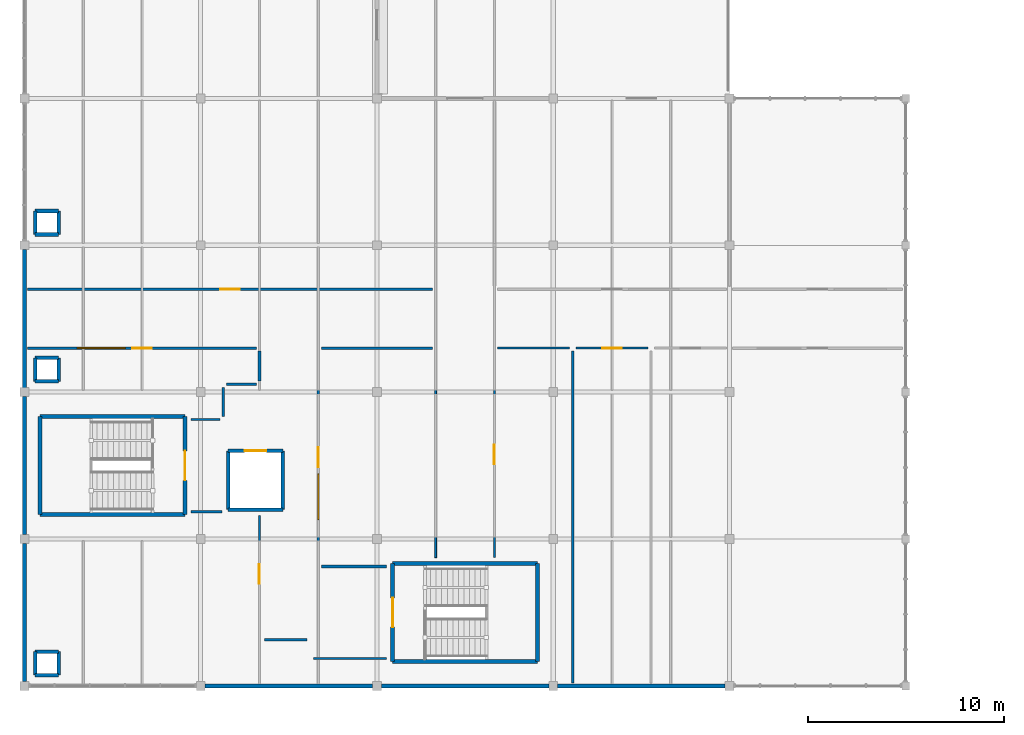
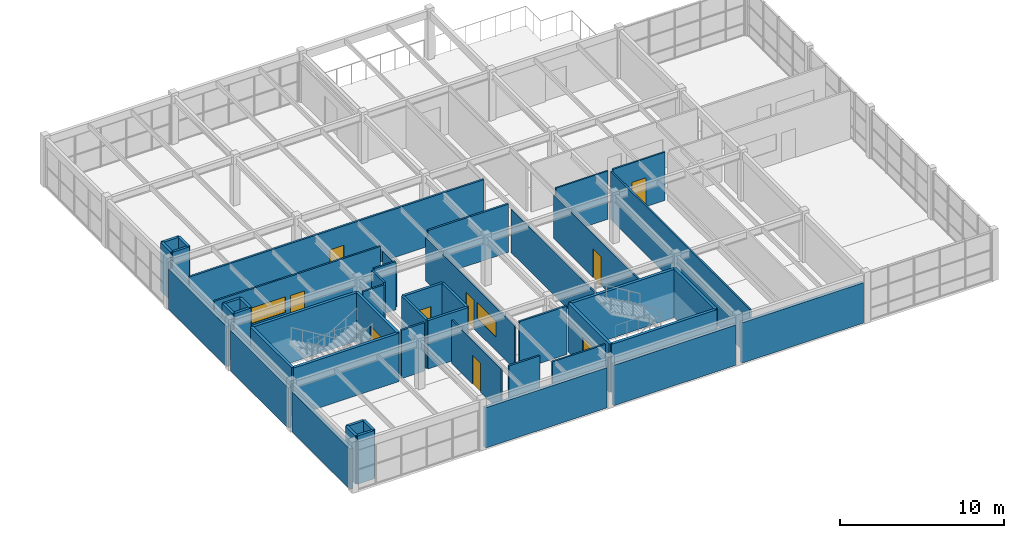
# One storey, part 36 of 45: 48 walls, 9 doors, 2 windows, 11 openings.
"""IFC4 building model written with IfcOpenShell, lengths in metres."""

from ifc_helpers import new_model, si_unit, direction, frame, frame_2d, origin, place, context, subcontext, project, spatial, rectangle, extrude, material, layer, layer_set, type_object, element, fill, save


model = new_model("IFC4")

# Units and contexts
model_context = context("Model", 3, precision=1e-05, world=origin(), true_north=direction((0.0, 1.0)))
body_context = subcontext(model_context, "Body", "Model", "MODEL_VIEW")
ifc_project = project(units=[si_unit("LENGTHUNIT", "METRE"), si_unit("AREAUNIT", "SQUARE_METRE"), si_unit("VOLUMEUNIT", "CUBIC_METRE"), si_unit("PLANEANGLEUNIT", "RADIAN"), si_unit("MASSUNIT", "GRAM", prefix="KILO")], contexts=[model_context])

# Site, building, storey
site_placement = place(None, origin())
site = spatial("IfcSite", under=ifc_project, at=site_placement, CompositionType="ELEMENT")
building_placement = place(site_placement, origin())
building = spatial("IfcBuilding", under=site, at=building_placement, Name="Marnridge Secondary College", CompositionType="ELEMENT")
storey_placement = place(building_placement, frame((0.0, 0.0, 12.300048828125)))
storey = spatial("IfcBuildingStorey", under=building, at=storey_placement, Name="L03", CompositionType="ELEMENT", Elevation=12.300048828125)

# Wall
ifc_material_1 = material(Name="Concrete C40/50 (AS 3600 N40, 40 MPa)", Category="concrete")
ifc_layer_1 = layer(ifc_material_1, 0.199951171875)
ifc_layer_set_1 = layer_set([ifc_layer_1], Name="WT-CORE-RC200")
wall_type_1 = type_object("IfcWallType", Name="WT-CORE-RC200", PredefinedType="SHEAR", material=ifc_layer_set_1)
wall_1_placement = place(storey_placement, frame((0.800048828125, 8.75, 0.0), z_axis=(0.0, 0.0, 1.0), x_axis=(1.0, 0.0, 0.0)))
element("IfcWall", 1, at=wall_1_placement, inside=storey, type_object=wall_type_1, Name="Stair core shear wall WC-L03-0309", PredefinedType="SHEAR", context=body_context, shape_type="SweptSolid", body=[
    extrude(rectangle(XDim=7.39990234375, YDim=0.199951171875, at=frame_2d((3.699951171875, 0.0))), origin(), (0.0, 0.0, 1.0), 3.58984375),
])

# Wall, opening, door
wall_2_placement = place(storey_placement, frame((8.199951171875, 8.75, 0.0), z_axis=(0.0, 0.0, 1.0), x_axis=(0.0, 1.0, 0.0)))
wall_2 = element("IfcWall", 2, at=wall_2_placement, inside=storey, type_object=wall_type_1, Name="Stair core shear wall WC-L03-0310", PredefinedType="SHEAR", context=body_context, shape_type="SweptSolid", body=[
    extrude(rectangle(XDim=5.0, YDim=0.199951171875, at=frame_2d((2.5, 0.0))), origin(), (0.0, 0.0, 1.0), 3.58984375),
])
opening_1_placement = place(wall_2_placement, frame((1.75, 0.0, 0.0)))
opening_1 = element("IfcOpeningElement", 3, at=opening_1_placement, cuts=wall_2, Name="Opening DC-L03-016", PredefinedType="OPENING", context=body_context, shape_type="SweptSolid", body=[
    extrude(rectangle(XDim=1.5, YDim=2.14990234375, at=frame_2d((0.75, 1.074951171875))), frame((0.0, 0.10986328125, 0.0), z_axis=(0.0, -1.0, 0.0), x_axis=(1.0, 0.0, 0.0)), (0.0, 0.0, 1.0), 0.219970703125),
])
ifc_material_2 = material(Name="Fire-rated solid-core timber doorset", Category="wood")
door_type_1 = type_object("IfcDoorType", Name="DT-CORE-FD150", OperationType="DOUBLE_DOOR_SINGLE_SWING", PredefinedType="DOOR", material=ifc_material_2)
door_1_placement = place(opening_1_placement, origin())
door_1 = element("IfcDoor", 4, at=door_1_placement, inside=storey, type_object=door_type_1, Name="Fire stair door DC-L03-016", OperationType="DOUBLE_DOOR_SINGLE_SWING", OverallHeight=2.14990234375, OverallWidth=1.5, PredefinedType="DOOR", context=body_context, shape_type="SweptSolid", body=[
    extrude(rectangle(XDim=1.5, YDim=2.14990234375, at=frame_2d((0.75, 1.074951171875))), frame((0.0, 0.02490234375, 0.0), z_axis=(0.0, -1.0, 0.0), x_axis=(1.0, 0.0, 0.0)), (0.0, 0.0, 1.0), 0.050048828125),
])
fill(opening_1, door_1)

# Walls
wall_3_placement = place(storey_placement, frame((8.199951171875, 13.75, 0.0), z_axis=(0.0, 0.0, 1.0), x_axis=(-1.0, 0.0, 0.0)))
element("IfcWall", 5, at=wall_3_placement, inside=storey, type_object=wall_type_1, Name="Stair core shear wall WC-L03-0311", PredefinedType="SHEAR", context=body_context, shape_type="SweptSolid", body=[
    extrude(rectangle(XDim=7.39990234375, YDim=0.199951171875, at=frame_2d((3.699951171875, 0.0))), origin(), (0.0, 0.0, 1.0), 3.58984375),
])
wall_4_placement = place(storey_placement, frame((0.800048828125, 13.75, 0.0), z_axis=(0.0, 0.0, 1.0), x_axis=(0.0, -1.0, 0.0)))
element("IfcWall", 6, at=wall_4_placement, inside=storey, type_object=wall_type_1, Name="Stair core shear wall WC-L03-0312", PredefinedType="SHEAR", context=body_context, shape_type="SweptSolid", body=[
    extrude(rectangle(XDim=5.0, YDim=0.199951171875, at=frame_2d((2.5, 0.0))), origin(), (0.0, 0.0, 1.0), 3.58984375),
])
wall_5_placement = place(storey_placement, frame((18.800048828125, 1.25, 0.0), z_axis=(0.0, 0.0, 1.0), x_axis=(1.0, 0.0, 0.0)))
element("IfcWall", 7, at=wall_5_placement, inside=storey, type_object=wall_type_1, Name="Stair core shear wall WC-L03-0329", PredefinedType="SHEAR", context=body_context, shape_type="SweptSolid", body=[
    extrude(rectangle(XDim=7.39990234375, YDim=0.199951171875, at=frame_2d((3.699951171875, 0.0))), origin(), (0.0, 0.0, 1.0), 3.58984375),
])
wall_6_placement = place(storey_placement, frame((26.199951171875, 1.25, 0.0), z_axis=(0.0, 0.0, 1.0), x_axis=(0.0, 1.0, 0.0)))
element("IfcWall", 8, at=wall_6_placement, inside=storey, type_object=wall_type_1, Name="Stair core shear wall WC-L03-0330", PredefinedType="SHEAR", context=body_context, shape_type="SweptSolid", body=[
    extrude(rectangle(XDim=5.0, YDim=0.199951171875, at=frame_2d((2.5, 0.0))), origin(), (0.0, 0.0, 1.0), 3.58984375),
])
wall_7_placement = place(storey_placement, frame((26.199951171875, 6.25, 0.0), z_axis=(0.0, 0.0, 1.0), x_axis=(-1.0, 0.0, 0.0)))
element("IfcWall", 9, at=wall_7_placement, inside=storey, type_object=wall_type_1, Name="Stair core shear wall WC-L03-0331", PredefinedType="SHEAR", context=body_context, shape_type="SweptSolid", body=[
    extrude(rectangle(XDim=7.39990234375, YDim=0.199951171875, at=frame_2d((3.699951171875, 0.0))), origin(), (0.0, 0.0, 1.0), 3.58984375),
])

# Wall, opening, door
wall_8_placement = place(storey_placement, frame((18.800048828125, 6.25, 0.0), z_axis=(0.0, 0.0, 1.0), x_axis=(0.0, -1.0, 0.0)))
wall_8 = element("IfcWall", 10, at=wall_8_placement, inside=storey, type_object=wall_type_1, Name="Stair core shear wall WC-L03-0332", PredefinedType="SHEAR", context=body_context, shape_type="SweptSolid", body=[
    extrude(rectangle(XDim=5.0, YDim=0.199951171875, at=frame_2d((2.5, 0.0))), origin(), (0.0, 0.0, 1.0), 3.58984375),
])
opening_2_placement = place(wall_8_placement, frame((1.75, 0.0, 0.0)))
opening_2 = element("IfcOpeningElement", 11, at=opening_2_placement, cuts=wall_8, Name="Opening DC-L03-021", PredefinedType="OPENING", context=body_context, shape_type="SweptSolid", body=[
    extrude(rectangle(XDim=1.5, YDim=2.14990234375, at=frame_2d((0.75, 1.074951171875))), frame((0.0, 0.10986328125, 0.0), z_axis=(0.0, -1.0, 0.0), x_axis=(1.0, 0.0, 0.0)), (0.0, 0.0, 1.0), 0.219970703125),
])
door_2_placement = place(opening_2_placement, origin())
door_2 = element("IfcDoor", 12, at=door_2_placement, inside=storey, type_object=door_type_1, Name="Fire stair door DC-L03-021", OperationType="DOUBLE_DOOR_SINGLE_SWING", OverallHeight=2.14990234375, OverallWidth=1.5, PredefinedType="DOOR", context=body_context, shape_type="SweptSolid", body=[
    extrude(rectangle(XDim=1.5, YDim=2.14990234375, at=frame_2d((0.75, 1.074951171875))), frame((0.0, 0.02490234375, 0.0), z_axis=(0.0, -1.0, 0.0), x_axis=(1.0, 0.0, 0.0)), (0.0, 0.0, 1.0), 0.050048828125),
])
fill(opening_2, door_2)

# Walls
ifc_material_3 = material(Name="Cross-laminated timber CL5", Category="wood")
ifc_layer_2 = layer(ifc_material_3, 0.215087890625)
ifc_layer_set_2 = layer_set([ifc_layer_2], Name="WT-EXT-CLT215")
wall_type_2 = type_object("IfcWallType", Name="WT-EXT-CLT215", PredefinedType="SOLIDWALL", material=ifc_layer_set_2)
for number, where, z_axis, x_axis, name in (
    (13, (35.779052734375, 0.0, 0.0), (0.0, 0.0, 1.0), (-1.0, 0.0, 0.0), "Exterior wall WE-L03-0188"),
    (14, (26.779052734375, 0.0, 0.0), (0.0, 0.0, 1.0), (-1.0, 0.0, 0.0), "Exterior wall WE-L03-0189"),
    (15, (17.779052734375, 0.0, 0.0), (0.0, 0.0, 1.0), (-1.0, 0.0, 0.0), "Exterior wall WE-L03-0190"),
):
    element("IfcWall", number, at=place(storey_placement, frame(where, z_axis=z_axis, x_axis=x_axis)), inside=storey, type_object=wall_type_2, Name=name, PredefinedType="SOLIDWALL", context=body_context, shape_type="SweptSolid", body=[
        extrude(rectangle(XDim=8.55810546875, YDim=0.215087890625, at=frame_2d((4.279052734375, 0.0))), origin(), (0.0, 0.0, 1.0), 2.9970703125),
    ])
for number, where, z_axis, x_axis, name in (
    (16, (0.0, 0.220947265625, 0.0), (0.0, 0.0, 1.0), (0.0, 1.0, 0.0), "Exterior wall WE-L03-0191"),
    (17, (0.0, 7.720947265625, 0.0), (0.0, 0.0, 1.0), (0.0, 1.0, 0.0), "Exterior wall WE-L03-0192"),
    (18, (0.0, 15.220947265625, 0.0), (0.0, 0.0, 1.0), (0.0, 1.0, 0.0), "Exterior wall WE-L03-0193"),
):
    element("IfcWall", number, at=place(storey_placement, frame(where, z_axis=z_axis, x_axis=x_axis)), inside=storey, type_object=wall_type_2, Name=name, PredefinedType="SOLIDWALL", context=body_context, shape_type="SweptSolid", body=[
        extrude(rectangle(XDim=7.05810546875, YDim=0.215087890625, at=frame_2d((3.529052734375, 0.0))), origin(), (0.0, 0.0, 1.0), 2.9970703125),
    ])
ifc_material_4 = material(Name="Acoustic plasterboard partition Rw45", Category="gypsum")
ifc_layer_3 = layer(ifc_material_4, 0.1201171875)
ifc_layer_set_3 = layer_set([ifc_layer_3], Name="WT-PART-AC120")
wall_type_3 = type_object("IfcWallType", Name="WT-PART-AC120", PredefinedType="PARTITIONING", material=ifc_layer_set_3)
wall_9_placement = place(storey_placement, frame((18.5, 1.39990234375, 0.0), z_axis=(0.0, 0.0, 1.0), x_axis=(-1.0, 0.0, 0.0)))
element("IfcWall", 19, at=wall_9_placement, inside=storey, type_object=wall_type_3, Name="Interior partition WP-L03-0381", PredefinedType="PARTITIONING", context=body_context, shape_type="SweptSolid", body=[
    extrude(rectangle(XDim=3.739990234375, YDim=0.1201171875, at=frame_2d((1.8701171875, 0.0))), origin(), (0.0, 0.0, 1.0), 3.58984375),
])

# Wall, opening, door
wall_10_placement = place(storey_placement, frame((12.0, 2.7099609375, 0.0), z_axis=(0.0, 0.0, 1.0), x_axis=(0.0, 1.0, 0.0)))
wall_10 = element("IfcWall", 20, at=wall_10_placement, inside=storey, type_object=wall_type_3, Name="Interior partition WP-L03-0383", PredefinedType="PARTITIONING", context=body_context, shape_type="SweptSolid", body=[
    extrude(rectangle(XDim=5.989990234375, YDim=0.1201171875, at=frame_2d((2.9951171875, 0.0))), origin(), (0.0, 0.0, 1.0), 3.221923828125),
])
opening_3_placement = place(wall_10_placement, frame((2.4951171875, 0.0, 0.0)))
opening_3 = element("IfcOpeningElement", 21, at=opening_3_placement, cuts=wall_10, Name="Opening DI-L03-0138", PredefinedType="OPENING", context=body_context, shape_type="SweptSolid", body=[
    extrude(rectangle(XDim=1.0, YDim=2.14990234375, at=frame_2d((0.5, 1.074951171875))), frame((0.0, 0.070068359375, 0.0), z_axis=(0.0, -1.0, 0.0), x_axis=(1.0, 0.0, 0.0)), (0.0, 0.0, 1.0), 0.14013671875),
])
ifc_material_5 = material(Name="Solid-core acoustic hoop-pine classroom doorset", Category="wood")
door_type_2 = type_object("IfcDoorType", Name="DT-CLS-100", OperationType="NOTDEFINED", PredefinedType="DOOR", material=ifc_material_5)
door_3_placement = place(opening_3_placement, origin())
door_3 = element("IfcDoor", 22, at=door_3_placement, inside=storey, type_object=door_type_2, Name="Interior door DI-L03-0138", OperationType="SINGLE_SWING_RIGHT", OverallHeight=2.14990234375, OverallWidth=1.0, PredefinedType="DOOR", context=body_context, shape_type="SweptSolid", body=[
    extrude(rectangle(XDim=1.0, YDim=2.14990234375, at=frame_2d((0.5, 1.074951171875))), frame((0.0, 0.02490234375, 0.0), z_axis=(0.0, -1.0, 0.0), x_axis=(1.0, 0.0, 0.0)), (0.0, 0.0, 1.0), 0.050048828125),
])
fill(opening_3, door_3)

# Wall, openings, door, window
wall_11_placement = place(storey_placement, frame((15.0, 17.090087890625, 0.0), z_axis=(0.0, 0.0, 1.0), x_axis=(0.0, -1.0, 0.0)))
wall_11 = element("IfcWall", 23, at=wall_11_placement, inside=storey, type_object=wall_type_3, Name="Interior partition WP-L03-0387", PredefinedType="PARTITIONING", context=body_context, shape_type="SweptSolid", body=[
    extrude(rectangle(XDim=10.830078125, YDim=0.1201171875, at=frame_2d((5.4150390625, 0.0))), origin(), (0.0, 0.0, 1.0), 3.221923828125),
])
opening_4_placement = place(wall_11_placement, frame((4.9150390625, 0.0, 0.0)))
opening_4 = element("IfcOpeningElement", 24, at=opening_4_placement, cuts=wall_11, Name="Opening DI-L03-0140", PredefinedType="OPENING", context=body_context, shape_type="SweptSolid", body=[
    extrude(rectangle(XDim=1.0, YDim=2.14990234375, at=frame_2d((0.5, 1.074951171875))), frame((0.0, 0.070068359375, 0.0), z_axis=(0.0, -1.0, 0.0), x_axis=(1.0, 0.0, 0.0)), (0.0, 0.0, 1.0), 0.14013671875),
])
opening_5_placement = place(wall_11_placement, frame((6.264892578125, 0.0, 1.02001953125)))
opening_5 = element("IfcOpeningElement", 25, at=opening_5_placement, cuts=wall_11, Name="Opening WNI-L03-033", PredefinedType="OPENING", context=body_context, shape_type="SweptSolid", body=[
    extrude(rectangle(XDim=2.340087890625, YDim=1.179931640625, at=frame_2d((1.169921875, 0.58984375))), frame((0.0, 0.070068359375, 0.0), z_axis=(0.0, -1.0, 0.0), x_axis=(1.0, 0.0, 0.0)), (0.0, 0.0, 1.0), 0.14013671875),
])
door_4_placement = place(opening_4_placement, origin())
door_4 = element("IfcDoor", 26, at=door_4_placement, inside=storey, type_object=door_type_2, Name="Interior door DI-L03-0140", OperationType="SINGLE_SWING_RIGHT", OverallHeight=2.14990234375, OverallWidth=1.0, PredefinedType="DOOR", context=body_context, shape_type="SweptSolid", body=[
    extrude(rectangle(XDim=1.0, YDim=2.14990234375, at=frame_2d((0.5, 1.074951171875))), frame((0.0, 0.02490234375, 0.0), z_axis=(0.0, -1.0, 0.0), x_axis=(1.0, 0.0, 0.0)), (0.0, 0.0, 1.0), 0.050048828125),
])
fill(opening_4, door_4)
ifc_material_6 = material(Name="Acoustic laminated interior vision glazing", Category="glass")
window_type_1 = type_object("IfcWindowType", Name="WN-BL-VAR15", PartitioningType="DOUBLE_PANEL_VERTICAL", PredefinedType="WINDOW", material=ifc_material_6)
window_1_placement = place(opening_5_placement, origin())
window_1 = element("IfcWindow", 27, at=window_1_placement, inside=storey, type_object=window_type_1, Name="Interior vision window WNI-L03-033", OverallHeight=1.179931640625, OverallWidth=2.340087890625, PartitioningType="DOUBLE_PANEL_VERTICAL", PredefinedType="WINDOW", context=body_context, shape_type="SweptSolid", body=[
    extrude(rectangle(XDim=2.340087890625, YDim=1.179931640625, at=frame_2d((1.169921875, 0.58984375))), frame((0.0, 0.030029296875, 0.0), z_axis=(0.0, -1.0, 0.0), x_axis=(1.0, 0.0, 0.0)), (0.0, 0.0, 1.0), 0.06005859375),
])
fill(opening_5, window_1)

# Walls
wall_12_placement = place(storey_placement, frame((8.5, 13.60009765625, 0.0), z_axis=(0.0, 0.0, 1.0), x_axis=(1.0, 0.0, 0.0)))
element("IfcWall", 28, at=wall_12_placement, inside=storey, type_object=wall_type_3, Name="Interior partition WP-L03-0389", PredefinedType="PARTITIONING", context=body_context, shape_type="SweptSolid", body=[
    extrude(rectangle(XDim=1.489990234375, YDim=0.1201171875, at=frame_2d((0.7451171875, 0.0))), origin(), (0.0, 0.0, 1.0), 3.58984375),
])
wall_13_placement = place(storey_placement, frame((10.31005859375, 15.39990234375, 0.0), z_axis=(0.0, 0.0, 1.0), x_axis=(1.0, 0.0, 0.0)))
element("IfcWall", 29, at=wall_13_placement, inside=storey, type_object=wall_type_3, Name="Interior partition WP-L03-0391", PredefinedType="PARTITIONING", context=body_context, shape_type="SweptSolid", body=[
    extrude(rectangle(XDim=1.530029296875, YDim=0.1201171875, at=frame_2d((0.76513671875, 0.0))), origin(), (0.0, 0.0, 1.0), 3.58984375),
])

# Wall, openings, door, window
wall_14_placement = place(storey_placement, frame((11.840087890625, 17.25, 0.0), z_axis=(0.0, 0.0, 1.0), x_axis=(-1.0, 0.0, 0.0)))
wall_14 = element("IfcWall", 30, at=wall_14_placement, inside=storey, type_object=wall_type_3, Name="Interior partition WP-L03-0393", PredefinedType="PARTITIONING", context=body_context, shape_type="SweptSolid", body=[
    extrude(rectangle(XDim=11.68017578125, YDim=0.1201171875, at=frame_2d((5.840087890625, 0.0))), origin(), (0.0, 0.0, 1.0), 3.58984375),
])
opening_6_placement = place(wall_14_placement, frame((5.340087890625, 0.0, 0.0)))
opening_6 = element("IfcOpeningElement", 31, at=opening_6_placement, cuts=wall_14, Name="Opening DI-L03-0141", PredefinedType="OPENING", context=body_context, shape_type="SweptSolid", body=[
    extrude(rectangle(XDim=1.0, YDim=2.14990234375, at=frame_2d((0.5, 1.074951171875))), frame((0.0, 0.070068359375, 0.0), z_axis=(0.0, -1.0, 0.0), x_axis=(1.0, 0.0, 0.0)), (0.0, 0.0, 1.0), 0.14013671875),
])
opening_7_placement = place(wall_14_placement, frame((6.68994140625, 0.0, 1.02001953125)))
opening_7 = element("IfcOpeningElement", 32, at=opening_7_placement, cuts=wall_14, Name="Opening WNI-L03-034", PredefinedType="OPENING", context=body_context, shape_type="SweptSolid", body=[
    extrude(rectangle(XDim=2.4599609375, YDim=1.159912109375, at=frame_2d((1.22998046875, 0.580078125))), frame((0.0, 0.070068359375, 0.0), z_axis=(0.0, -1.0, 0.0), x_axis=(1.0, 0.0, 0.0)), (0.0, 0.0, 1.0), 0.14013671875),
])
door_5_placement = place(opening_6_placement, origin())
door_5 = element("IfcDoor", 33, at=door_5_placement, inside=storey, type_object=door_type_2, Name="Interior door DI-L03-0141", OperationType="SINGLE_SWING_LEFT", OverallHeight=2.14990234375, OverallWidth=1.0, PredefinedType="DOOR", context=body_context, shape_type="SweptSolid", body=[
    extrude(rectangle(XDim=1.0, YDim=2.14990234375, at=frame_2d((0.5, 1.074951171875))), frame((0.0, 0.02490234375, 0.0), z_axis=(0.0, -1.0, 0.0), x_axis=(1.0, 0.0, 0.0)), (0.0, 0.0, 1.0), 0.050048828125),
])
fill(opening_6, door_5)
ifc_material_7 = material(Name="Acoustic laminated interior vision glazing", Category="glass")
window_type_2 = type_object("IfcWindowType", Name="WN-BL-VAR16", PartitioningType="DOUBLE_PANEL_VERTICAL", PredefinedType="WINDOW", material=ifc_material_7)
window_2_placement = place(opening_7_placement, origin())
window_2 = element("IfcWindow", 34, at=window_2_placement, inside=storey, type_object=window_type_2, Name="Interior vision window WNI-L03-034", OverallHeight=1.159912109375, OverallWidth=2.4599609375, PartitioningType="DOUBLE_PANEL_VERTICAL", PredefinedType="WINDOW", context=body_context, shape_type="SweptSolid", body=[
    extrude(rectangle(XDim=2.4599609375, YDim=1.159912109375, at=frame_2d((1.22998046875, 0.580078125))), frame((0.0, 0.030029296875, 0.0), z_axis=(0.0, -1.0, 0.0), x_axis=(1.0, 0.0, 0.0)), (0.0, 0.0, 1.0), 0.06005859375),
])
fill(opening_7, window_2)

# Walls
ifc_material_8 = material(Name="Acoustic plasterboard partition Rw48", Category="gypsum")
ifc_layer_4 = layer(ifc_material_8, 0.135009765625)
ifc_layer_set_4 = layer_set([ifc_layer_4], Name="WT-PART-AC135")
wall_type_4 = type_object("IfcWallType", Name="WT-PART-AC135", PredefinedType="PARTITIONING", material=ifc_layer_set_4)
wall_15_placement = place(storey_placement, frame((10.10009765625, 8.89990234375, 0.0), z_axis=(0.0, 0.0, 1.0), x_axis=(-1.0, 0.0, 0.0)))
element("IfcWall", 35, at=wall_15_placement, inside=storey, type_object=wall_type_4, Name="Interior partition WP-L03-0380", PredefinedType="PARTITIONING", context=body_context, shape_type="SweptSolid", body=[
    extrude(rectangle(XDim=1.60009765625, YDim=0.135009765625, at=frame_2d((0.800048828125, 0.0))), origin(), (0.0, 0.0, 1.0), 3.58984375),
])
wall_16_placement = place(storey_placement, frame((14.43994140625, 2.35009765625, 0.0), z_axis=(0.0, 0.0, 1.0), x_axis=(-1.0, 0.0, 0.0)))
element("IfcWall", 36, at=wall_16_placement, inside=storey, type_object=wall_type_4, Name="Interior partition WP-L03-0382", PredefinedType="PARTITIONING", context=body_context, shape_type="SweptSolid", body=[
    extrude(rectangle(XDim=2.179931640625, YDim=0.135009765625, at=frame_2d((1.08984375, 0.0))), origin(), (0.0, 0.0, 1.0), 3.58984375),
])
wall_17_placement = place(storey_placement, frame((20.840087890625, 17.25, 0.0), z_axis=(0.0, 0.0, 1.0), x_axis=(-1.0, 0.0, 0.0)))
element("IfcWall", 37, at=wall_17_placement, inside=storey, type_object=wall_type_4, Name="Interior partition WP-L03-0386", PredefinedType="PARTITIONING", context=body_context, shape_type="SweptSolid", body=[
    extrude(rectangle(XDim=5.68017578125, YDim=0.135009765625, at=frame_2d((2.840087890625, 0.0))), origin(), (0.0, 0.0, 1.0), 3.58984375),
])
wall_18_placement = place(storey_placement, frame((15.159912109375, 6.10009765625, 0.0), z_axis=(0.0, 0.0, 1.0), x_axis=(1.0, 0.0, 0.0)))
element("IfcWall", 38, at=wall_18_placement, inside=storey, type_object=wall_type_4, Name="Interior partition WP-L03-0388", PredefinedType="PARTITIONING", context=body_context, shape_type="SweptSolid", body=[
    extrude(rectangle(XDim=3.340087890625, YDim=0.135009765625, at=frame_2d((1.669921875, 0.0))), origin(), (0.0, 0.0, 1.0), 3.58984375),
])
wall_19_placement = place(storey_placement, frame((10.14990234375, 13.760009765625, 0.0), z_axis=(0.0, 0.0, 1.0), x_axis=(0.0, 1.0, 0.0)))
element("IfcWall", 39, at=wall_19_placement, inside=storey, type_object=wall_type_4, Name="Interior partition WP-L03-0390", PredefinedType="PARTITIONING", context=body_context, shape_type="SweptSolid", body=[
    extrude(rectangle(XDim=1.47998046875, YDim=0.135009765625, at=frame_2d((0.739990234375, 0.0))), origin(), (0.0, 0.0, 1.0), 3.58984375),
])
wall_20_placement = place(storey_placement, frame((12.0, 15.56005859375, 0.0), z_axis=(0.0, 0.0, 1.0), x_axis=(0.0, 1.0, 0.0)))
element("IfcWall", 40, at=wall_20_placement, inside=storey, type_object=wall_type_4, Name="Interior partition WP-L03-0392", PredefinedType="PARTITIONING", context=body_context, shape_type="SweptSolid", body=[
    extrude(rectangle(XDim=1.530029296875, YDim=0.135009765625, at=frame_2d((0.76513671875, 0.0))), origin(), (0.0, 0.0, 1.0), 3.221923828125),
])

# Wall, opening, door
wall_21_placement = place(storey_placement, frame((0.159912109375, 20.25, 0.0), z_axis=(0.0, 0.0, 1.0), x_axis=(1.0, 0.0, 0.0)))
wall_21 = element("IfcWall", 41, at=wall_21_placement, inside=storey, type_object=wall_type_4, Name="Interior partition WP-L03-0394", PredefinedType="PARTITIONING", context=body_context, shape_type="SweptSolid", body=[
    extrude(rectangle(XDim=20.68017578125, YDim=0.135009765625, at=frame_2d((10.340087890625, 0.0))), origin(), (0.0, 0.0, 1.0), 3.58984375),
])
opening_8_placement = place(wall_21_placement, frame((9.840087890625, 0.0, 0.0)))
opening_8 = element("IfcOpeningElement", 42, at=opening_8_placement, cuts=wall_21, Name="Opening DI-L03-0142", PredefinedType="OPENING", context=body_context, shape_type="SweptSolid", body=[
    extrude(rectangle(XDim=1.0, YDim=2.14990234375, at=frame_2d((0.5, 1.074951171875))), frame((0.0, 0.077392578125, 0.0), z_axis=(0.0, -1.0, 0.0), x_axis=(1.0, 0.0, 0.0)), (0.0, 0.0, 1.0), 0.155029296875),
])
door_6_placement = place(opening_8_placement, origin())
door_6 = element("IfcDoor", 43, at=door_6_placement, inside=storey, type_object=door_type_2, Name="Interior door DI-L03-0142", OperationType="SINGLE_SWING_RIGHT", OverallHeight=2.14990234375, OverallWidth=1.0, PredefinedType="DOOR", context=body_context, shape_type="SweptSolid", body=[
    extrude(rectangle(XDim=1.0, YDim=2.14990234375, at=frame_2d((0.5, 1.074951171875))), frame((0.0, 0.02490234375, 0.0), z_axis=(0.0, -1.0, 0.0), x_axis=(1.0, 0.0, 0.0)), (0.0, 0.0, 1.0), 0.050048828125),
])
fill(opening_8, door_6)

# Walls
ifc_material_9 = material(Name="Acoustic glazed studio partition system", Category="gypsum")
ifc_layer_5 = layer(ifc_material_9, 0.10009765625)
ifc_layer_set_5 = layer_set([ifc_layer_5], Name="WT-PART-GL100")
wall_type_5 = type_object("IfcWallType", Name="WT-PART-GL100", PredefinedType="PARTITIONING", material=ifc_layer_set_5)
wall_22_placement = place(storey_placement, frame((21.0, 6.550048828125, 0.0), z_axis=(0.0, 0.0, 1.0), x_axis=(0.0, 1.0, 0.0)))
element("IfcWall", 44, at=wall_22_placement, inside=storey, type_object=wall_type_5, Name="Interior partition WP-L03-0385", PredefinedType="PARTITIONING", context=body_context, shape_type="SweptSolid", body=[
    extrude(rectangle(XDim=10.5400390625, YDim=0.10009765625, at=frame_2d((5.27001953125, 0.0))), origin(), (0.0, 0.0, 1.0), 3.221923828125),
])
ifc_material_10 = material(Name="Moisture-resistant plasterboard sanitary partition", Category="gypsum")
ifc_layer_6 = layer(ifc_material_10, 0.110107421875)
ifc_layer_set_6 = layer_set([ifc_layer_6], Name="WT-PART-WT110")
wall_type_6 = type_object("IfcWallType", Name="WT-PART-WT110", PredefinedType="PARTITIONING", material=ifc_layer_set_6)
wall_23_placement = place(storey_placement, frame((28.0, 0.159912109375, 0.0), z_axis=(0.0, 0.0, 1.0), x_axis=(0.0, 1.0, 0.0)))
element("IfcWall", 45, at=wall_23_placement, inside=storey, type_object=wall_type_6, Name="Interior partition WP-L03-0373", PredefinedType="PARTITIONING", context=body_context, shape_type="SweptSolid", body=[
    extrude(rectangle(XDim=16.93017578125, YDim=0.110107421875, at=frame_2d((8.465087890625, 0.0))), origin(), (0.0, 0.0, 1.0), 3.58984375),
])

# Wall, opening, door
wall_24_placement = place(storey_placement, frame((24.0, 17.090087890625, 0.0), z_axis=(0.0, 0.0, 1.0), x_axis=(0.0, -1.0, 0.0)))
wall_24 = element("IfcWall", 46, at=wall_24_placement, inside=storey, type_object=wall_type_6, Name="Interior partition WP-L03-0374", PredefinedType="PARTITIONING", context=body_context, shape_type="SweptSolid", body=[
    extrude(rectangle(XDim=10.5400390625, YDim=0.110107421875, at=frame_2d((5.27001953125, 0.0))), origin(), (0.0, 0.0, 1.0), 3.221923828125),
])
opening_9_placement = place(wall_24_placement, frame((4.77001953125, 0.0, 0.0)))
opening_9 = element("IfcOpeningElement", 47, at=opening_9_placement, cuts=wall_24, Name="Opening DI-L03-0135", PredefinedType="OPENING", context=body_context, shape_type="SweptSolid", body=[
    extrude(rectangle(XDim=1.0, YDim=2.14990234375, at=frame_2d((0.5, 1.074951171875))), frame((0.0, 0.06494140625, 0.0), z_axis=(0.0, -1.0, 0.0), x_axis=(1.0, 0.0, 0.0)), (0.0, 0.0, 1.0), 0.130126953125),
])
door_7_placement = place(opening_9_placement, origin())
door_7 = element("IfcDoor", 48, at=door_7_placement, inside=storey, type_object=door_type_2, Name="Interior door DI-L03-0135", OperationType="SINGLE_SWING_LEFT", OverallHeight=2.14990234375, OverallWidth=1.0, PredefinedType="DOOR", context=body_context, shape_type="SweptSolid", body=[
    extrude(rectangle(XDim=1.0, YDim=2.14990234375, at=frame_2d((0.5, 1.074951171875))), frame((0.0, 0.02490234375, 0.0), z_axis=(0.0, -1.0, 0.0), x_axis=(1.0, 0.0, 0.0)), (0.0, 0.0, 1.0), 0.050048828125),
])
fill(opening_9, door_7)

# Wall
wall_25_placement = place(storey_placement, frame((27.840087890625, 17.25, 0.0), z_axis=(0.0, 0.0, 1.0), x_axis=(-1.0, 0.0, 0.0)))
element("IfcWall", 49, at=wall_25_placement, inside=storey, type_object=wall_type_6, Name="Interior partition WP-L03-0375", PredefinedType="PARTITIONING", context=body_context, shape_type="SweptSolid", body=[
    extrude(rectangle(XDim=3.68017578125, YDim=0.110107421875, at=frame_2d((1.840087890625, 0.0))), origin(), (0.0, 0.0, 1.0), 3.58984375),
])

# Wall, opening, door
wall_26_placement = place(storey_placement, frame((31.840087890625, 17.25, 0.0), z_axis=(0.0, 0.0, 1.0), x_axis=(-1.0, 0.0, 0.0)))
wall_26 = element("IfcWall", 50, at=wall_26_placement, inside=storey, type_object=wall_type_6, Name="Interior partition WP-L03-0377", PredefinedType="PARTITIONING", context=body_context, shape_type="SweptSolid", body=[
    extrude(rectangle(XDim=3.68017578125, YDim=0.110107421875, at=frame_2d((1.840087890625, 0.0))), origin(), (0.0, 0.0, 1.0), 3.58984375),
])
opening_10_placement = place(wall_26_placement, frame((1.340087890625, 0.0, 0.0)))
opening_10 = element("IfcOpeningElement", 51, at=opening_10_placement, cuts=wall_26, Name="Opening DI-L03-0136", PredefinedType="OPENING", context=body_context, shape_type="SweptSolid", body=[
    extrude(rectangle(XDim=1.0, YDim=2.14990234375, at=frame_2d((0.5, 1.074951171875))), frame((0.0, 0.06494140625, 0.0), z_axis=(0.0, -1.0, 0.0), x_axis=(1.0, 0.0, 0.0)), (0.0, 0.0, 1.0), 0.130126953125),
])
door_8_placement = place(opening_10_placement, origin())
door_8 = element("IfcDoor", 52, at=door_8_placement, inside=storey, type_object=door_type_2, Name="Interior door DI-L03-0136", OperationType="SINGLE_SWING_RIGHT", OverallHeight=2.14990234375, OverallWidth=1.0, PredefinedType="DOOR", context=body_context, shape_type="SweptSolid", body=[
    extrude(rectangle(XDim=1.0, YDim=2.14990234375, at=frame_2d((0.5, 1.074951171875))), frame((0.0, 0.02490234375, 0.0), z_axis=(0.0, -1.0, 0.0), x_axis=(1.0, 0.0, 0.0)), (0.0, 0.0, 1.0), 0.050048828125),
])
fill(opening_10, door_8)

# Walls
ifc_material_11 = material(Name="Concrete C40/50 (AS 3600 N40, 40 MPa)", Category="concrete")
ifc_layer_7 = layer(ifc_material_11, 0.179931640625)
ifc_layer_set_7 = layer_set([ifc_layer_7], Name="WT-SHAFT-RC180")
wall_type_7 = type_object("IfcWallType", Name="WT-SHAFT-RC180", PredefinedType="SHEAR", material=ifc_layer_set_7)
for number, where, z_axis, x_axis, name in (
    (53, (1.75, 0.550048828125, 0.0), (0.0, 0.0, 1.0), (-1.0, 0.0, 0.0), "Service riser shaft wall WR-L03-0205"),
    (54, (0.550048828125, 0.550048828125, 0.0), (0.0, 0.0, 1.0), (0.0, 1.0, 0.0), "Service riser shaft wall WR-L03-0206"),
    (55, (0.550048828125, 1.75, 0.0), (0.0, 0.0, 1.0), (1.0, 0.0, 0.0), "Service riser shaft wall WR-L03-0207"),
    (56, (1.75, 1.75, 0.0), (0.0, 0.0, 1.0), (0.0, -1.0, 0.0), "Service riser shaft wall WR-L03-0208"),
    (57, (1.75, 15.550048828125, 0.0), (0.0, 0.0, 1.0), (-1.0, 0.0, 0.0), "Service riser shaft wall WR-L03-0209"),
    (58, (0.550048828125, 15.550048828125, 0.0), (0.0, 0.0, 1.0), (0.0, 1.0, 0.0), "Service riser shaft wall WR-L03-0210"),
    (59, (0.550048828125, 16.75, 0.0), (0.0, 0.0, 1.0), (1.0, 0.0, 0.0), "Service riser shaft wall WR-L03-0211"),
    (60, (1.75, 16.75, 0.0), (0.0, 0.0, 1.0), (0.0, -1.0, 0.0), "Service riser shaft wall WR-L03-0212"),
    (61, (1.75, 23.050048828125, 0.0), (0.0, 0.0, 1.0), (-1.0, 0.0, 0.0), "Service riser shaft wall WR-L03-0213"),
    (62, (0.550048828125, 23.050048828125, 0.0), (0.0, 0.0, 1.0), (0.0, 1.0, 0.0), "Service riser shaft wall WR-L03-0214"),
    (63, (0.550048828125, 24.25, 0.0), (0.0, 0.0, 1.0), (1.0, 0.0, 0.0), "Service riser shaft wall WR-L03-0215"),
    (64, (1.75, 24.25, 0.0), (0.0, 0.0, 1.0), (0.0, -1.0, 0.0), "Service riser shaft wall WR-L03-0216"),
):
    element("IfcWall", number, at=place(storey_placement, frame(where, z_axis=z_axis, x_axis=x_axis)), inside=storey, type_object=wall_type_7, Name=name, PredefinedType="SHEAR", context=body_context, shape_type="SweptSolid", body=[
        extrude(rectangle(XDim=1.199951171875, YDim=0.179931640625, at=frame_2d((0.60009765625, 0.0))), origin(), (0.0, 0.0, 1.0), 3.58984375),
    ])
wall_27_placement = place(storey_placement, frame((13.199951171875, 9.0, 0.0), z_axis=(0.0, 0.0, 1.0), x_axis=(-1.0, 0.0, 0.0)))
element("IfcWall", 65, at=wall_27_placement, inside=storey, type_object=wall_type_7, Name="Lift shaft wall WL-L03-0445", PredefinedType="SHEAR", context=body_context, shape_type="SweptSolid", body=[
    extrude(rectangle(XDim=2.800048828125, YDim=0.179931640625, at=frame_2d((1.39990234375, 0.0))), origin(), (0.0, 0.0, 1.0), 3.58984375),
])
wall_28_placement = place(storey_placement, frame((10.39990234375, 9.0, 0.0), z_axis=(0.0, 0.0, 1.0), x_axis=(0.0, 1.0, 0.0)))
element("IfcWall", 66, at=wall_28_placement, inside=storey, type_object=wall_type_7, Name="Lift shaft wall WL-L03-0446", PredefinedType="SHEAR", context=body_context, shape_type="SweptSolid", body=[
    extrude(rectangle(XDim=3.0, YDim=0.179931640625, at=frame_2d((1.5, 0.0))), origin(), (0.0, 0.0, 1.0), 3.58984375),
])

# Wall, opening, door
wall_29_placement = place(storey_placement, frame((10.39990234375, 12.0, 0.0), z_axis=(0.0, 0.0, 1.0), x_axis=(1.0, 0.0, 0.0)))
wall_29 = element("IfcWall", 67, at=wall_29_placement, inside=storey, type_object=wall_type_7, Name="Lift shaft wall WL-L03-0447", PredefinedType="SHEAR", context=body_context, shape_type="SweptSolid", body=[
    extrude(rectangle(XDim=2.800048828125, YDim=0.179931640625, at=frame_2d((1.39990234375, 0.0))), origin(), (0.0, 0.0, 1.0), 3.58984375),
])
opening_11_placement = place(wall_29_placement, frame((0.85009765625, 0.0, 0.0)))
opening_11 = element("IfcOpeningElement", 68, at=opening_11_placement, cuts=wall_29, Name="Opening LD-LC-02-L03", PredefinedType="OPENING", context=body_context, shape_type="SweptSolid", body=[
    extrude(rectangle(XDim=1.10009765625, YDim=2.14990234375, at=frame_2d((0.550048828125, 1.074951171875))), frame((0.0, 0.099853515625, 0.0), z_axis=(0.0, -1.0, 0.0), x_axis=(1.0, 0.0, 0.0)), (0.0, 0.0, 1.0), 0.199951171875),
])
ifc_material_12 = material(Name="Stainless steel Grade 350 automatic sliding lift landing doorset", Category="steel")
door_type_3 = type_object("IfcDoorType", Name="DT-LIFT-LD110", OperationType="SLIDING_TO_LEFT", PredefinedType="DOOR", material=ifc_material_12)
door_9_placement = place(opening_11_placement, origin())
door_9 = element("IfcDoor", 69, at=door_9_placement, inside=storey, type_object=door_type_3, Name="Sliding lift landing door LD-LC-02-L03", OperationType="SLIDING_TO_LEFT", OverallHeight=2.14990234375, OverallWidth=1.10009765625, PredefinedType="DOOR", context=body_context, shape_type="SweptSolid", body=[
    extrude(rectangle(XDim=1.10009765625, YDim=2.14990234375, at=frame_2d((0.550048828125, 1.074951171875))), frame((0.0, 0.02490234375, 0.0), z_axis=(0.0, -1.0, 0.0), x_axis=(1.0, 0.0, 0.0)), (0.0, 0.0, 1.0), 0.050048828125),
])
fill(opening_11, door_9)

# Wall
wall_30_placement = place(storey_placement, frame((13.199951171875, 12.0, 0.0), z_axis=(0.0, 0.0, 1.0), x_axis=(0.0, -1.0, 0.0)))
element("IfcWall", 70, at=wall_30_placement, inside=storey, type_object=wall_type_7, Name="Lift shaft wall WL-L03-0448", PredefinedType="SHEAR", context=body_context, shape_type="SweptSolid", body=[
    extrude(rectangle(XDim=3.0, YDim=0.179931640625, at=frame_2d((1.5, 0.0))), origin(), (0.0, 0.0, 1.0), 3.58984375),
])

save(model, "model.ifc")
